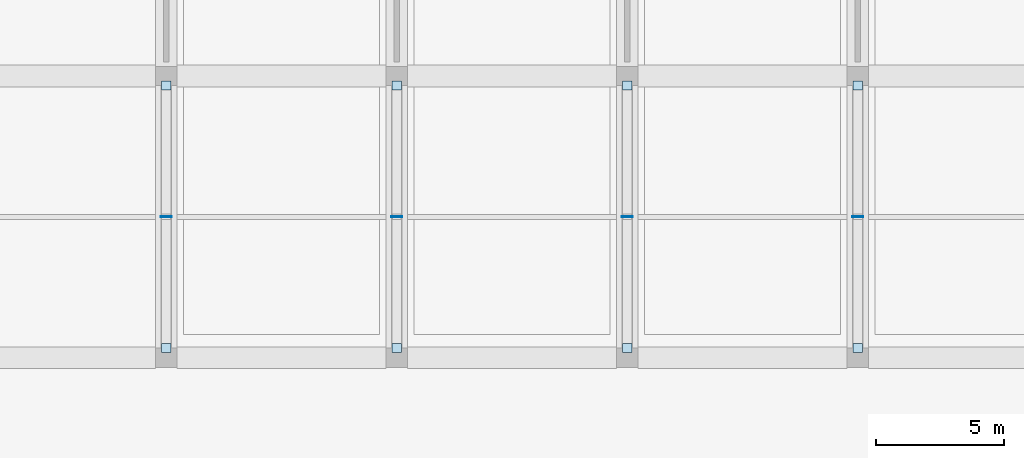
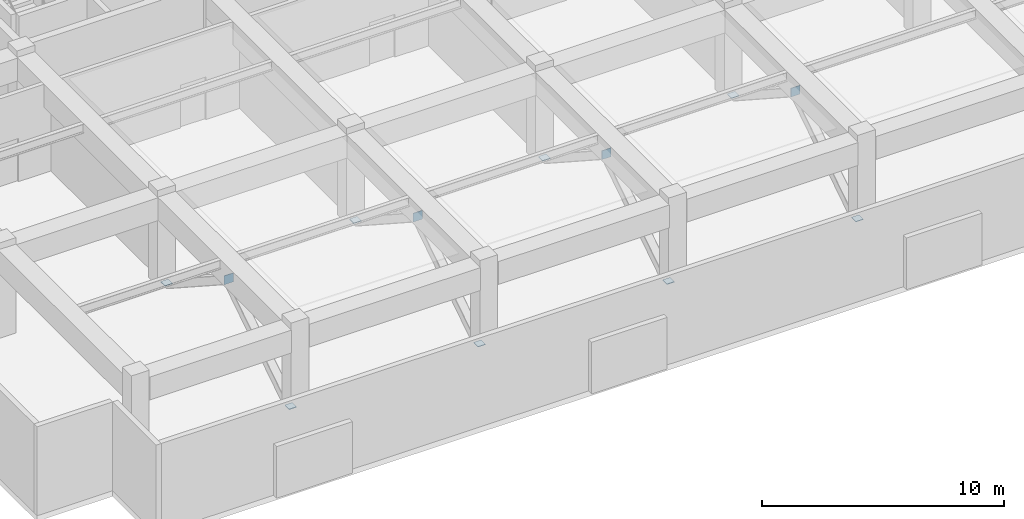
# One storey, part 4 of 22: 12 plates.
"""IFC4 building model written with IfcOpenShell, lengths in metres."""

import ifcopenshell
import ifcopenshell.guid

model = None  # the IFC model being written
_history = None  # IfcOwnerHistory: only IFC2X3 demands one
_inside = {}  # id of a spatial element -> (the spatial element, [elements in it])
_under = {}  # id of a project, library or spatial element -> (it, [spatial elements below it])
_declared = {}  # id of a project -> (the project, [libraries it declares])
_typed = {}  # id of a type object -> (the type object, [elements of that type])
_made_of = {}  # id of a material, layer set ... -> (it, [elements and type objects made of it])


def new_model(schema):
    """Start an empty IFC model of exactly this schema.

    Asked for "IFC4X3", IfcOpenShell would pick the latest addendum, in which some entities
    have other attributes; the version numbers below select the first issue.
    IFC2X3 requires an IfcOwnerHistory on every rooted entity: one is made here for all.
    """
    global model, _history
    if schema == "IFC4X3":
        model = ifcopenshell.file(schema_version=(4, 3, 0, 0))
    else:
        model = ifcopenshell.file(schema=schema)
    _inside.clear()
    _under.clear()
    _declared.clear()
    _typed.clear()
    _made_of.clear()
    _history = None
    if model.schema == "IFC2X3":
        org = make("IfcOrganization", Name="unknown")
        user = make(
            "IfcPersonAndOrganization",
            ThePerson=make("IfcPerson", FamilyName="unknown"),
            TheOrganization=org,
        )
        app = make(
            "IfcApplication",
            ApplicationDeveloper=org,
            Version="unknown",
            ApplicationFullName="unknown",
            ApplicationIdentifier="unknown",
        )
        _history = make(
            "IfcOwnerHistory",
            OwningUser=user,
            OwningApplication=app,
            ChangeAction="ADDED",
            CreationDate=0,
        )
    return model


def make(cls, **values):
    """One entity of the class cls with the attributes given. An attribute that is None is left unset."""
    return model.create_entity(
        cls, **{name: value for name, value in values.items() if value is not None}
    )


def rooted(cls, **values):
    """An entity with a GlobalId (a new one), such as an element, a storey or a relation."""
    return make(cls, GlobalId=ifcopenshell.guid.new(), OwnerHistory=_history, **values)


def si_unit(unit_type, name, prefix=None):
    """IfcSIUnit, for example si_unit("LENGTHUNIT", "METRE", prefix="MILLI")."""
    return make("IfcSIUnit", UnitType=unit_type, Prefix=prefix, Name=name)


def assignment(units):
    """IfcUnitAssignment: the units of a project."""
    return None if units is None else make("IfcUnitAssignment", Units=units)


def point(xyz):
    """IfcCartesianPoint."""
    return None if xyz is None else make("IfcCartesianPoint", Coordinates=xyz)


def direction(xyz):
    """IfcDirection."""
    return None if xyz is None else make("IfcDirection", DirectionRatios=xyz)


def frame(location, z_axis=None, x_axis=None):
    """IfcAxis2Placement3D, a coordinate frame: its origin and axes. An axis left out is left unset."""
    return make(
        "IfcAxis2Placement3D",
        Location=point(location),
        Axis=direction(z_axis),
        RefDirection=direction(x_axis),
    )


def frame_2d(location, x_axis=None):
    """IfcAxis2Placement2D, a coordinate frame in the plane: its origin and x axis."""
    return make(
        "IfcAxis2Placement2D", Location=point(location), RefDirection=direction(x_axis)
    )


def origin():
    """The frame at (0, 0, 0) with its axes left unset."""
    return frame((0.0, 0.0, 0.0))


def origin_2d():
    """The frame at (0, 0) in the plane with its x axis left unset."""
    return frame_2d((0.0, 0.0))


def place(relative_to, where):
    """IfcLocalPlacement: puts the frame where relative to a parent placement (None: the world)."""
    return make(
        "IfcLocalPlacement", PlacementRelTo=relative_to, RelativePlacement=where
    )


def context(
    kind, dimensions, precision=None, world=None, true_north=None, identifier=None
):
    """IfcGeometricRepresentationContext, for example the 3D "Model" context."""
    return make(
        "IfcGeometricRepresentationContext",
        ContextIdentifier=identifier,
        ContextType=kind,
        CoordinateSpaceDimension=dimensions,
        Precision=precision,
        WorldCoordinateSystem=world,
        TrueNorth=true_north,
    )


def subcontext(parent, identifier, kind, view, scale=None):
    """IfcGeometricRepresentationSubContext, for example "Body" below "Model"."""
    return make(
        "IfcGeometricRepresentationSubContext",
        ContextIdentifier=identifier,
        ContextType=kind,
        ParentContext=parent,
        TargetScale=scale,
        TargetView=view,
    )


def project(units=None, contexts=None):
    """IfcProject with its units and contexts."""
    return rooted(
        "IfcProject",
        Name="project",
        RepresentationContexts=contexts,
        UnitsInContext=assignment(units),
    )


def spatial(cls, under=None, at=None, **own):
    """A site, building, storey or space (cls), placed at a placement, below another one or the project."""
    s = rooted(cls, ObjectPlacement=at, **own)
    if under is not None:
        _under.setdefault(under.id(), (under, []))[1].append(s)
    return s


def profile(cls, at=None, kind="AREA", **sizes):
    """A parametric profile (cls). Its sizes go by their IFC names, for example OverallWidth=200.0."""
    return make(cls, ProfileType=kind, Position=at, **sizes)


def rectangle(**sizes):
    """IfcRectangleProfileDef."""
    return profile("IfcRectangleProfileDef", **sizes)


def extrude(swept, where, along, depth):
    """IfcExtrudedAreaSolid: the profile swept, set in the frame where, extruded along a direction by depth."""
    return make(
        "IfcExtrudedAreaSolid",
        SweptArea=swept,
        Position=where,
        ExtrudedDirection=direction(along),
        Depth=depth,
    )


def shape(context_of_items, identifier, shape_type, items):
    """IfcShapeRepresentation: the items that make up one representation, for example the "Body"."""
    return make(
        "IfcShapeRepresentation",
        ContextOfItems=context_of_items,
        RepresentationIdentifier=identifier,
        RepresentationType=shape_type,
        Items=items,
    )


def material(Name=None, Category=None):
    """IfcMaterial."""
    return make("IfcMaterial", Name=Name, Category=Category)


def layer(
    of_material, thickness, ventilated=None, Name=None, Category=None, Priority=None
):
    """IfcMaterialLayer: one layer of a wall or slab, of a material (None: an air gap)."""
    return make(
        "IfcMaterialLayer",
        Material=of_material,
        LayerThickness=thickness,
        IsVentilated=ventilated,
        Name=Name,
        Category=Category,
        Priority=Priority,
    )


def layer_set(layers, Name=None):
    """IfcMaterialLayerSet."""
    return make("IfcMaterialLayerSet", MaterialLayers=layers, LayerSetName=Name)


def made_of(thing, what):
    """Note that an element or type object is made of a material, layer set ...; save() writes the relation."""
    if what is not None:
        _made_of.setdefault(what.id(), (what, []))[1].append(thing)
    return thing


def type_object(cls, material=None, **own):
    """A type object (cls), such as IfcWallType, which elements share."""
    return made_of(rooted(cls, **own), material)


def element(
    cls,
    number,
    at=None,
    inside=None,
    cuts=None,
    type_object=None,
    material=None,
    context=None,
    identifier="Body",
    shape_type=None,
    held_by="IfcProductDefinitionShape",
    body=None,
    shapes=None,
    **own,
):
    """One element of the class cls, such as IfcWall. Its Tag is "e" and its number.

    at: its placement. inside: the storey or other place that contains it. cuts: it is an
    opening in that element (IfcRelVoidsElement). A single representation is given by context,
    identifier, shape_type and body (its items); several are given by shapes. held_by: the class
    of the entity that holds the representations. save() writes the other relations.
    """
    e = rooted(cls, Tag="e%d" % number, ObjectPlacement=at, **own)
    if body is not None:
        shapes = [shape(context, identifier, shape_type, body)]
    if shapes is not None:
        e.Representation = make(held_by, Representations=shapes)
    if inside is not None:
        _inside.setdefault(inside.id(), (inside, []))[1].append(e)
    if cuts is not None:
        rooted(
            "IfcRelVoidsElement", RelatingBuildingElement=cuts, RelatedOpeningElement=e
        )
    if type_object is not None:
        _typed.setdefault(type_object.id(), (type_object, []))[1].append(e)
    return made_of(e, material)


def aggregate(whole, parts):
    """IfcRelAggregates: a whole, such as a stair, and the parts it consists of."""
    return rooted("IfcRelAggregates", RelatingObject=whole, RelatedObjects=parts)


def save(model, path):
    """Write the relations noted so far, then the file.

    IfcRelAggregates (storeys below a building ...), IfcRelContainedInSpatialStructure (elements
    in a storey), IfcRelDefinesByType, IfcRelAssociatesMaterial and IfcRelDeclares: one each for
    every whole, place, type object, material and project.
    """
    for whole, parts in _under.values():
        aggregate(whole, parts)
    for where, things in _inside.values():
        rooted(
            "IfcRelContainedInSpatialStructure",
            RelatedElements=things,
            RelatingStructure=where,
        )
    for kind, things in _typed.values():
        rooted("IfcRelDefinesByType", RelatedObjects=things, RelatingType=kind)
    for what, things in _made_of.values():
        rooted("IfcRelAssociatesMaterial", RelatedObjects=things, RelatingMaterial=what)
    for by, libraries in _declared.values():
        rooted("IfcRelDeclares", RelatingContext=by, RelatedDefinitions=libraries)
    model.write(path)


model = new_model("IFC4")

# Units and contexts
model_context = context("Model", 3, precision=1e-05, world=origin(), true_north=direction((0.0, 1.0)))
body_context = subcontext(model_context, "Body", "Model", "MODEL_VIEW")
ifc_project = project(units=[si_unit("LENGTHUNIT", "METRE"), si_unit("AREAUNIT", "SQUARE_METRE"), si_unit("VOLUMEUNIT", "CUBIC_METRE"), si_unit("PLANEANGLEUNIT", "RADIAN"), si_unit("MASSUNIT", "GRAM", prefix="KILO")], contexts=[model_context])

# Site, building, storey
site_placement = place(None, origin())
site = spatial("IfcSite", under=ifc_project, at=site_placement, CompositionType="ELEMENT")
building_placement = place(site_placement, origin())
building = spatial("IfcBuilding", under=site, at=building_placement, Name="Korimba Cascade Residences", CompositionType="ELEMENT")
storey_placement = place(building_placement, frame((0.0, 0.0, 157.300048828125)))
storey = spatial("IfcBuildingStorey", under=building, at=storey_placement, Name="L45", CompositionType="ELEMENT", Elevation=157.300048828125)

# Plates
ifc_material = material(Name="Steel S460", Category="steel")
ifc_layer = layer(ifc_material, 0.028076171875)
ifc_layer_set = layer_set([ifc_layer], Name="Steel S460")
plate_type = type_object("IfcPlateType", Name="PLT-ENDCAP-28", PredefinedType="USERDEFINED", material=ifc_layer_set)
for number, where, z_axis, x_axis, name in (
    (1, (82.10009765625, 1.300048828125, 3.10986328125), (0.0, 0.0, 1.0), (1.0, 0.0, 0.0), "L45 T2 Outrigger Node Plate ON1 1"),
    (2, (91.10009765625, 1.300048828125, 3.10986328125), (0.0, 0.0, 1.0), (1.0, 0.0, 0.0), "L45 T2 Outrigger Node Plate ON1 2"),
    (3, (100.10009765625, 1.300048828125, 3.10986328125), (0.0, 0.0, 1.0), (1.0, 0.0, 0.0), "L45 T2 Outrigger Node Plate ON1 3"),
    (4, (109.10009765625, 1.300048828125, 3.10986328125), (0.0, 0.0, 1.0), (1.0, 0.0, 0.0), "L45 T2 Outrigger Node Plate ON1 4"),
):
    element("IfcPlate", number, at=place(storey_placement, frame(where, z_axis=z_axis, x_axis=x_axis)), inside=storey, type_object=plate_type, Name=name, ObjectType="CAP PLATE", PredefinedType="USERDEFINED", context=body_context, shape_type="SweptSolid", body=[
        extrude(rectangle(XDim=0.43994140625, YDim=0.028076171875, at=origin_2d()), origin(), (0.0, 0.0, 1.0), 0.43994140625),
    ])
for number, where, z_axis, x_axis, name in (
    (5, (82.10009765625, 6.425048828125, 0.005859375), (0.0, 0.0, 1.0), (1.0, 0.0, 0.0), "L45 Brace Welded End Connection Plate 122"),
    (6, (82.10009765625, -3.824951171875, 0.005859375), (0.0, 0.0, 1.0), (1.0, 0.0, 0.0), "L45 Brace Welded End Connection Plate 123"),
    (7, (91.10009765625, 6.425048828125, 0.005859375), (0.0, 0.0, 1.0), (1.0, 0.0, 0.0), "L45 Brace Welded End Connection Plate 124"),
    (8, (91.10009765625, -3.824951171875, 0.005859375), (0.0, 0.0, 1.0), (1.0, 0.0, 0.0), "L45 Brace Welded End Connection Plate 125"),
    (9, (100.10009765625, 6.425048828125, 0.005859375), (0.0, 0.0, 1.0), (1.0, 0.0, 0.0), "L45 Brace Welded End Connection Plate 126"),
    (10, (100.10009765625, -3.824951171875, 0.005859375), (0.0, 0.0, 1.0), (1.0, 0.0, 0.0), "L45 Brace Welded End Connection Plate 127"),
    (11, (109.10009765625, 6.425048828125, 0.005859375), (0.0, 0.0, 1.0), (1.0, 0.0, 0.0), "L45 Brace Welded End Connection Plate 128"),
    (12, (109.10009765625, -3.824951171875, 0.005859375), (0.0, 0.0, 1.0), (1.0, 0.0, 0.0), "L45 Brace Welded End Connection Plate 129"),
):
    element("IfcPlate", number, at=place(storey_placement, frame(where, z_axis=z_axis, x_axis=x_axis)), inside=storey, type_object=plate_type, Name=name, ObjectType="CAP PLATE", PredefinedType="USERDEFINED", context=body_context, shape_type="SweptSolid", body=[
        extrude(rectangle(XDim=0.360107421875, YDim=0.360107421875, at=origin_2d()), origin(), (0.0, 0.0, 1.0), 0.028076171875),
    ])

save(model, "model.ifc")
